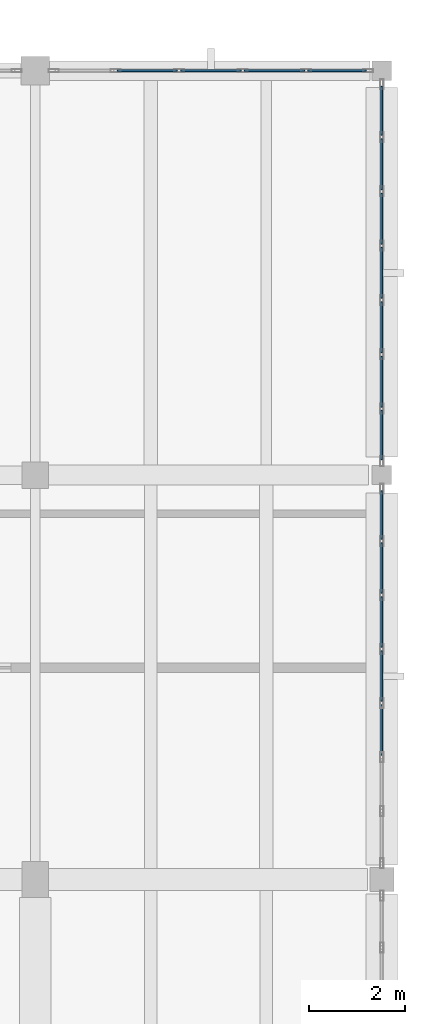
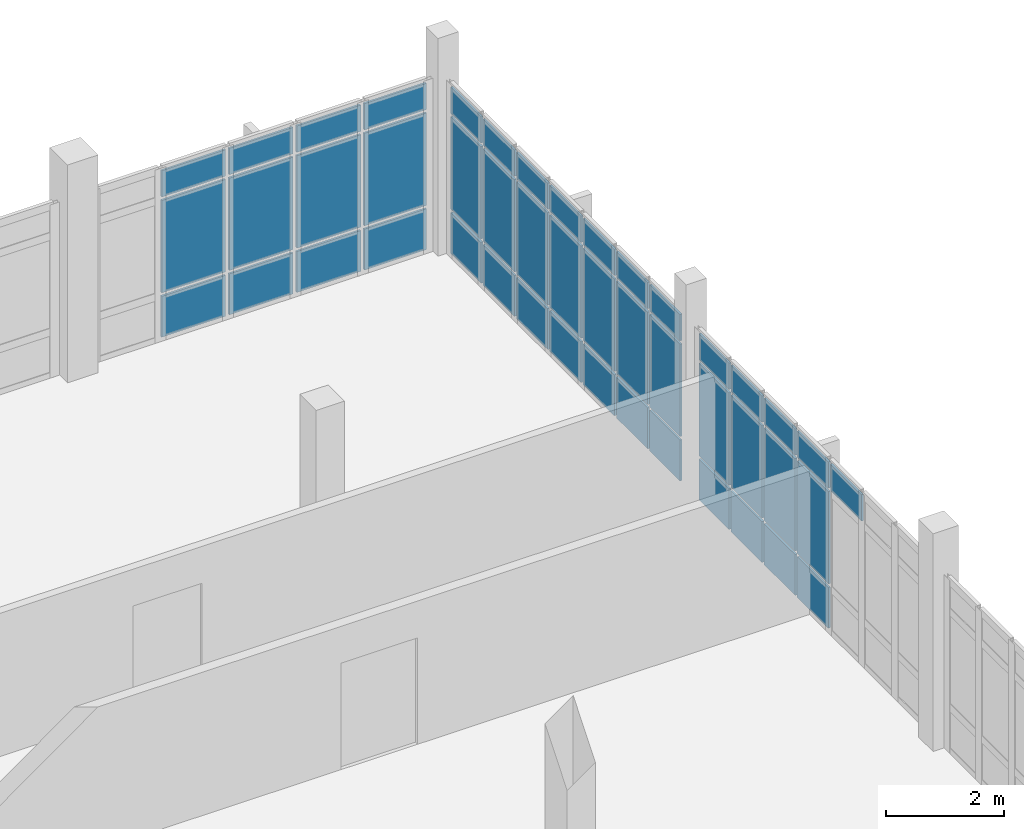
# One storey, part 46 of 57: 46 plates, 3 elements without a shape of their own.
"""IFC4 building model written with IfcOpenShell, lengths in metres."""

from ifc_helpers import new_model, si_unit, direction, frame, origin, origin_2d, place, context, subcontext, project, spatial, rectangle, extrude, material, layer, layer_set, type_object, element, aggregate, save


model = new_model("IFC4")

# Units and contexts
model_context = context("Model", 3, precision=1e-05, world=origin(), true_north=direction((0.0, 1.0)))
body_context = subcontext(model_context, "Body", "Model", "MODEL_VIEW")
ifc_project = project(units=[si_unit("LENGTHUNIT", "METRE"), si_unit("AREAUNIT", "SQUARE_METRE"), si_unit("VOLUMEUNIT", "CUBIC_METRE"), si_unit("PLANEANGLEUNIT", "RADIAN"), si_unit("MASSUNIT", "GRAM", prefix="KILO")], contexts=[model_context])

# Site, building, storey
site_placement = place(None, origin())
site = spatial("IfcSite", under=ifc_project, at=site_placement, CompositionType="ELEMENT")
building_placement = place(site_placement, origin())
building = spatial("IfcBuilding", under=site, at=building_placement, Name="Kalluvel Institute of Natural Sciences", CompositionType="ELEMENT")
storey_placement = place(building_placement, frame((0.0, 0.0, 23.39990234375)))
storey = spatial("IfcBuildingStorey", under=building, at=storey_placement, Name="L05", CompositionType="ELEMENT", Elevation=23.39990234375)

# Curtain wall, plates
ifc_material_1 = material(Name="Aluminium AW-6063 T6", Category="aluminium")
curtain_wall_type = type_object("IfcCurtainWallType", Name="CW-WET-45", PredefinedType="USERDEFINED", material=ifc_material_1)
curtain_wall_1_placement = place(storey_placement, origin())
curtain_wall_1 = element("IfcCurtainWall", 1, at=curtain_wall_1_placement, inside=storey, type_object=curtain_wall_type, Name="L05 Gothic lancet curtain wall CWA-L05-X1080-Y1280", ObjectType="UNITISED LANCET FACADE", PredefinedType="USERDEFINED")
ifc_material_2 = material(Name="Solar-Control Low-E Laminated Glass", Category="glass")
ifc_layer = layer(ifc_material_2, 0.0400390625)
ifc_layer_set = layer_set([ifc_layer], Name="Solar-Control Low-E Laminated Glass")
plate_type = type_object("IfcPlateType", Name="CWP-SPN-40", PredefinedType="CURTAIN_PANEL", material=ifc_layer_set)
plate_1_placement = place(storey_placement, frame((109.929931640625, 128.0, 0.0703125), z_axis=(0.0, 0.0, 1.0), x_axis=(1.0, 0.0, 0.0)))
plate_1 = element("IfcPlate", 2, at=plate_1_placement, type_object=plate_type, Name="CW-01 panel 2.1", PredefinedType="CURTAIN_PANEL", context=body_context, shape_type="SweptSolid", body=[
    extrude(rectangle(XDim=1.25, YDim=0.0400390625, at=origin_2d()), origin(), (0.0, 0.0, 1.0), 0.844970703125),
])
plate_2_placement = place(storey_placement, frame((109.929931640625, 128.0, 0.9853515625), z_axis=(0.0, 0.0, 1.0), x_axis=(1.0, 0.0, 0.0)))
plate_2 = element("IfcPlate", 3, at=plate_2_placement, type_object=plate_type, Name="CW-01 panel 2.2", PredefinedType="CURTAIN_PANEL", context=body_context, shape_type="SweptSolid", body=[
    extrude(rectangle(XDim=1.25, YDim=0.0400390625, at=origin_2d()), origin(), (0.0, 0.0, 1.0), 1.909912109375),
])
plate_3_placement = place(storey_placement, frame((109.929931640625, 128.0, 2.965087890625), z_axis=(0.0, 0.0, 1.0), x_axis=(1.0, 0.0, 0.0)))
plate_3 = element("IfcPlate", 4, at=plate_3_placement, type_object=plate_type, Name="CW-01 panel 2.3", PredefinedType="CURTAIN_PANEL", context=body_context, shape_type="SweptSolid", body=[
    extrude(rectangle(XDim=1.25, YDim=0.0400390625, at=origin_2d()), origin(), (0.0, 0.0, 1.0), 0.544921875),
])
plate_4_placement = place(storey_placement, frame((111.25, 128.0, 0.0703125), z_axis=(0.0, 0.0, 1.0), x_axis=(1.0, 0.0, 0.0)))
plate_4 = element("IfcPlate", 5, at=plate_4_placement, type_object=plate_type, Name="CW-01 panel 3.1", PredefinedType="CURTAIN_PANEL", context=body_context, shape_type="SweptSolid", body=[
    extrude(rectangle(XDim=1.25, YDim=0.0400390625, at=origin_2d()), origin(), (0.0, 0.0, 1.0), 0.844970703125),
])
plate_5_placement = place(storey_placement, frame((111.25, 128.0, 0.9853515625), z_axis=(0.0, 0.0, 1.0), x_axis=(1.0, 0.0, 0.0)))
plate_5 = element("IfcPlate", 6, at=plate_5_placement, type_object=plate_type, Name="CW-01 panel 3.2", PredefinedType="CURTAIN_PANEL", context=body_context, shape_type="SweptSolid", body=[
    extrude(rectangle(XDim=1.25, YDim=0.0400390625, at=origin_2d()), origin(), (0.0, 0.0, 1.0), 1.909912109375),
])
plate_6_placement = place(storey_placement, frame((111.25, 128.0, 2.965087890625), z_axis=(0.0, 0.0, 1.0), x_axis=(1.0, 0.0, 0.0)))
plate_6 = element("IfcPlate", 7, at=plate_6_placement, type_object=plate_type, Name="CW-01 panel 3.3", PredefinedType="CURTAIN_PANEL", context=body_context, shape_type="SweptSolid", body=[
    extrude(rectangle(XDim=1.25, YDim=0.0400390625, at=origin_2d()), origin(), (0.0, 0.0, 1.0), 0.544921875),
])
plate_7_placement = place(storey_placement, frame((112.570068359375, 128.0, 0.0703125), z_axis=(0.0, 0.0, 1.0), x_axis=(1.0, 0.0, 0.0)))
plate_7 = element("IfcPlate", 8, at=plate_7_placement, type_object=plate_type, Name="CW-01 panel 4.1", PredefinedType="CURTAIN_PANEL", context=body_context, shape_type="SweptSolid", body=[
    extrude(rectangle(XDim=1.25, YDim=0.0400390625, at=origin_2d()), origin(), (0.0, 0.0, 1.0), 0.844970703125),
])
plate_8_placement = place(storey_placement, frame((112.570068359375, 128.0, 0.9853515625), z_axis=(0.0, 0.0, 1.0), x_axis=(1.0, 0.0, 0.0)))
plate_8 = element("IfcPlate", 9, at=plate_8_placement, type_object=plate_type, Name="CW-01 panel 4.2", PredefinedType="CURTAIN_PANEL", context=body_context, shape_type="SweptSolid", body=[
    extrude(rectangle(XDim=1.25, YDim=0.0400390625, at=origin_2d()), origin(), (0.0, 0.0, 1.0), 1.909912109375),
])
plate_9_placement = place(storey_placement, frame((112.570068359375, 128.0, 2.965087890625), z_axis=(0.0, 0.0, 1.0), x_axis=(1.0, 0.0, 0.0)))
plate_9 = element("IfcPlate", 10, at=plate_9_placement, type_object=plate_type, Name="CW-01 panel 4.3", PredefinedType="CURTAIN_PANEL", context=body_context, shape_type="SweptSolid", body=[
    extrude(rectangle(XDim=1.25, YDim=0.0400390625, at=origin_2d()), origin(), (0.0, 0.0, 1.0), 0.544921875),
])
plate_10_placement = place(storey_placement, frame((113.87255859375, 128.0, 0.0703125), z_axis=(0.0, 0.0, 1.0), x_axis=(1.0, 0.0, 0.0)))
plate_10 = element("IfcPlate", 11, at=plate_10_placement, type_object=plate_type, Name="CW-01 panel 5.1", PredefinedType="CURTAIN_PANEL", context=body_context, shape_type="SweptSolid", body=[
    extrude(rectangle(XDim=1.215087890625, YDim=0.0400390625, at=origin_2d()), origin(), (0.0, 0.0, 1.0), 0.844970703125),
])
plate_11_placement = place(storey_placement, frame((113.87255859375, 128.0, 0.9853515625), z_axis=(0.0, 0.0, 1.0), x_axis=(1.0, 0.0, 0.0)))
plate_11 = element("IfcPlate", 12, at=plate_11_placement, type_object=plate_type, Name="CW-01 panel 5.2", PredefinedType="CURTAIN_PANEL", context=body_context, shape_type="SweptSolid", body=[
    extrude(rectangle(XDim=1.215087890625, YDim=0.0400390625, at=origin_2d()), origin(), (0.0, 0.0, 1.0), 1.909912109375),
])
plate_12_placement = place(storey_placement, frame((113.87255859375, 128.0, 2.965087890625), z_axis=(0.0, 0.0, 1.0), x_axis=(1.0, 0.0, 0.0)))
plate_12 = element("IfcPlate", 13, at=plate_12_placement, type_object=plate_type, Name="CW-01 panel 5.3", PredefinedType="CURTAIN_PANEL", context=body_context, shape_type="SweptSolid", body=[
    extrude(rectangle(XDim=1.215087890625, YDim=0.0400390625, at=origin_2d()), origin(), (0.0, 0.0, 1.0), 0.544921875),
])
aggregate(curtain_wall_1, [plate_1, plate_2, plate_3, plate_4, plate_5, plate_6, plate_7, plate_8, plate_9, plate_10, plate_11, plate_12])

curtain_wall_2_placement = place(storey_placement, origin())
curtain_wall_2 = element("IfcCurtainWall", 14, at=curtain_wall_2_placement, inside=storey, type_object=curtain_wall_type, Name="L05 Gothic lancet curtain wall CWA-L05-X1148-Y1115", ObjectType="UNITISED LANCET FACADE", PredefinedType="USERDEFINED")
plate_13_placement = place(storey_placement, frame((114.800048828125, 114.303466796875, 2.965087890625), z_axis=(0.0, 0.0, 1.0), x_axis=(0.0, 1.0, 0.0)))
plate_13 = element("IfcPlate", 15, at=plate_13_placement, type_object=plate_type, Name="CW-01 panel 3.3", PredefinedType="CURTAIN_PANEL", context=body_context, shape_type="SweptSolid", body=[
    extrude(rectangle(XDim=1.051513671875, YDim=0.0400390625, at=origin_2d()), origin(), (0.0, 0.0, 1.0), 0.544921875),
])
plate_14_placement = place(storey_placement, frame((114.800048828125, 115.425048828125, 0.0703125), z_axis=(0.0, 0.0, 1.0), x_axis=(0.0, 1.0, 0.0)))
plate_14 = element("IfcPlate", 16, at=plate_14_placement, type_object=plate_type, Name="CW-01 panel 4.1", PredefinedType="CURTAIN_PANEL", context=body_context, shape_type="SweptSolid", body=[
    extrude(rectangle(XDim=1.051513671875, YDim=0.0400390625, at=origin_2d()), origin(), (0.0, 0.0, 1.0), 0.844970703125),
])
plate_15_placement = place(storey_placement, frame((114.800048828125, 115.425048828125, 0.9853515625), z_axis=(0.0, 0.0, 1.0), x_axis=(0.0, 1.0, 0.0)))
plate_15 = element("IfcPlate", 17, at=plate_15_placement, type_object=plate_type, Name="CW-01 panel 4.2", PredefinedType="CURTAIN_PANEL", context=body_context, shape_type="SweptSolid", body=[
    extrude(rectangle(XDim=1.051513671875, YDim=0.0400390625, at=origin_2d()), origin(), (0.0, 0.0, 1.0), 1.909912109375),
])
plate_16_placement = place(storey_placement, frame((114.800048828125, 115.425048828125, 2.965087890625), z_axis=(0.0, 0.0, 1.0), x_axis=(0.0, 1.0, 0.0)))
plate_16 = element("IfcPlate", 18, at=plate_16_placement, type_object=plate_type, Name="CW-01 panel 4.3", PredefinedType="CURTAIN_PANEL", context=body_context, shape_type="SweptSolid", body=[
    extrude(rectangle(XDim=1.051513671875, YDim=0.0400390625, at=origin_2d()), origin(), (0.0, 0.0, 1.0), 0.544921875),
])
plate_17_placement = place(storey_placement, frame((114.800048828125, 116.54638671875, 0.0703125), z_axis=(0.0, 0.0, 1.0), x_axis=(0.0, 1.0, 0.0)))
plate_17 = element("IfcPlate", 19, at=plate_17_placement, type_object=plate_type, Name="CW-01 panel 5.1", PredefinedType="CURTAIN_PANEL", context=body_context, shape_type="SweptSolid", body=[
    extrude(rectangle(XDim=1.051513671875, YDim=0.0400390625, at=origin_2d()), origin(), (0.0, 0.0, 1.0), 0.844970703125),
])
plate_18_placement = place(storey_placement, frame((114.800048828125, 116.54638671875, 0.9853515625), z_axis=(0.0, 0.0, 1.0), x_axis=(0.0, 1.0, 0.0)))
plate_18 = element("IfcPlate", 20, at=plate_18_placement, type_object=plate_type, Name="CW-01 panel 5.2", PredefinedType="CURTAIN_PANEL", context=body_context, shape_type="SweptSolid", body=[
    extrude(rectangle(XDim=1.051513671875, YDim=0.0400390625, at=origin_2d()), origin(), (0.0, 0.0, 1.0), 1.909912109375),
])
plate_19_placement = place(storey_placement, frame((114.800048828125, 116.54638671875, 2.965087890625), z_axis=(0.0, 0.0, 1.0), x_axis=(0.0, 1.0, 0.0)))
plate_19 = element("IfcPlate", 21, at=plate_19_placement, type_object=plate_type, Name="CW-01 panel 5.3", PredefinedType="CURTAIN_PANEL", context=body_context, shape_type="SweptSolid", body=[
    extrude(rectangle(XDim=1.051513671875, YDim=0.0400390625, at=origin_2d()), origin(), (0.0, 0.0, 1.0), 0.544921875),
])
plate_20_placement = place(storey_placement, frame((114.800048828125, 117.66796875, 0.0703125), z_axis=(0.0, 0.0, 1.0), x_axis=(0.0, 1.0, 0.0)))
plate_20 = element("IfcPlate", 22, at=plate_20_placement, type_object=plate_type, Name="CW-01 panel 6.1", PredefinedType="CURTAIN_PANEL", context=body_context, shape_type="SweptSolid", body=[
    extrude(rectangle(XDim=1.051513671875, YDim=0.0400390625, at=origin_2d()), origin(), (0.0, 0.0, 1.0), 0.844970703125),
])
plate_21_placement = place(storey_placement, frame((114.800048828125, 117.66796875, 0.9853515625), z_axis=(0.0, 0.0, 1.0), x_axis=(0.0, 1.0, 0.0)))
plate_21 = element("IfcPlate", 23, at=plate_21_placement, type_object=plate_type, Name="CW-01 panel 6.2", PredefinedType="CURTAIN_PANEL", context=body_context, shape_type="SweptSolid", body=[
    extrude(rectangle(XDim=1.051513671875, YDim=0.0400390625, at=origin_2d()), origin(), (0.0, 0.0, 1.0), 1.909912109375),
])
plate_22_placement = place(storey_placement, frame((114.800048828125, 117.66796875, 2.965087890625), z_axis=(0.0, 0.0, 1.0), x_axis=(0.0, 1.0, 0.0)))
plate_22 = element("IfcPlate", 24, at=plate_22_placement, type_object=plate_type, Name="CW-01 panel 6.3", PredefinedType="CURTAIN_PANEL", context=body_context, shape_type="SweptSolid", body=[
    extrude(rectangle(XDim=1.051513671875, YDim=0.0400390625, at=origin_2d()), origin(), (0.0, 0.0, 1.0), 0.544921875),
])
plate_23_placement = place(storey_placement, frame((114.800048828125, 118.771728515625, 0.0703125), z_axis=(0.0, 0.0, 1.0), x_axis=(0.0, 1.0, 0.0)))
plate_23 = element("IfcPlate", 25, at=plate_23_placement, type_object=plate_type, Name="CW-01 panel 7.1", PredefinedType="CURTAIN_PANEL", context=body_context, shape_type="SweptSolid", body=[
    extrude(rectangle(XDim=1.016357421875, YDim=0.0400390625, at=origin_2d()), origin(), (0.0, 0.0, 1.0), 0.844970703125),
])
plate_24_placement = place(storey_placement, frame((114.800048828125, 118.771728515625, 0.9853515625), z_axis=(0.0, 0.0, 1.0), x_axis=(0.0, 1.0, 0.0)))
plate_24 = element("IfcPlate", 26, at=plate_24_placement, type_object=plate_type, Name="CW-01 panel 7.2", PredefinedType="CURTAIN_PANEL", context=body_context, shape_type="SweptSolid", body=[
    extrude(rectangle(XDim=1.016357421875, YDim=0.0400390625, at=origin_2d()), origin(), (0.0, 0.0, 1.0), 1.909912109375),
])
plate_25_placement = place(storey_placement, frame((114.800048828125, 118.771728515625, 2.965087890625), z_axis=(0.0, 0.0, 1.0), x_axis=(0.0, 1.0, 0.0)))
plate_25 = element("IfcPlate", 27, at=plate_25_placement, type_object=plate_type, Name="CW-01 panel 7.3", PredefinedType="CURTAIN_PANEL", context=body_context, shape_type="SweptSolid", body=[
    extrude(rectangle(XDim=1.016357421875, YDim=0.0400390625, at=origin_2d()), origin(), (0.0, 0.0, 1.0), 0.544921875),
])
aggregate(curtain_wall_2, [plate_13, plate_14, plate_15, plate_16, plate_17, plate_18, plate_19, plate_20, plate_21, plate_22, plate_23, plate_24, plate_25])

curtain_wall_3_placement = place(storey_placement, origin())
curtain_wall_3 = element("IfcCurtainWall", 28, at=curtain_wall_3_placement, inside=storey, type_object=curtain_wall_type, Name="L05 Gothic lancet curtain wall CWA-L05-X1148-Y1198", ObjectType="UNITISED LANCET FACADE", PredefinedType="USERDEFINED")
plate_26_placement = place(storey_placement, frame((114.800048828125, 120.431884765625, 0.0703125), z_axis=(0.0, 0.0, 1.0), x_axis=(0.0, 1.0, 0.0)))
plate_26 = element("IfcPlate", 29, at=plate_26_placement, type_object=plate_type, Name="CW-01 panel 1.1", PredefinedType="CURTAIN_PANEL", context=body_context, shape_type="SweptSolid", body=[
    extrude(rectangle(XDim=1.023681640625, YDim=0.0400390625, at=origin_2d()), origin(), (0.0, 0.0, 1.0), 0.844970703125),
])
plate_27_placement = place(storey_placement, frame((114.800048828125, 120.431884765625, 0.9853515625), z_axis=(0.0, 0.0, 1.0), x_axis=(0.0, 1.0, 0.0)))
plate_27 = element("IfcPlate", 30, at=plate_27_placement, type_object=plate_type, Name="CW-01 panel 1.2", PredefinedType="CURTAIN_PANEL", context=body_context, shape_type="SweptSolid", body=[
    extrude(rectangle(XDim=1.023681640625, YDim=0.0400390625, at=origin_2d()), origin(), (0.0, 0.0, 1.0), 1.909912109375),
])
plate_28_placement = place(storey_placement, frame((114.800048828125, 120.431884765625, 2.965087890625), z_axis=(0.0, 0.0, 1.0), x_axis=(0.0, 1.0, 0.0)))
plate_28 = element("IfcPlate", 31, at=plate_28_placement, type_object=plate_type, Name="CW-01 panel 1.3", PredefinedType="CURTAIN_PANEL", context=body_context, shape_type="SweptSolid", body=[
    extrude(rectangle(XDim=1.023681640625, YDim=0.0400390625, at=origin_2d()), origin(), (0.0, 0.0, 1.0), 0.544921875),
])
plate_29_placement = place(storey_placement, frame((114.800048828125, 121.54296875, 0.0703125), z_axis=(0.0, 0.0, 1.0), x_axis=(0.0, 1.0, 0.0)))
plate_29 = element("IfcPlate", 32, at=plate_29_placement, type_object=plate_type, Name="CW-01 panel 2.1", PredefinedType="CURTAIN_PANEL", context=body_context, shape_type="SweptSolid", body=[
    extrude(rectangle(XDim=1.05859375, YDim=0.0400390625, at=origin_2d()), origin(), (0.0, 0.0, 1.0), 0.844970703125),
])
plate_30_placement = place(storey_placement, frame((114.800048828125, 121.54296875, 0.9853515625), z_axis=(0.0, 0.0, 1.0), x_axis=(0.0, 1.0, 0.0)))
plate_30 = element("IfcPlate", 33, at=plate_30_placement, type_object=plate_type, Name="CW-01 panel 2.2", PredefinedType="CURTAIN_PANEL", context=body_context, shape_type="SweptSolid", body=[
    extrude(rectangle(XDim=1.05859375, YDim=0.0400390625, at=origin_2d()), origin(), (0.0, 0.0, 1.0), 1.909912109375),
])
plate_31_placement = place(storey_placement, frame((114.800048828125, 121.54296875, 2.965087890625), z_axis=(0.0, 0.0, 1.0), x_axis=(0.0, 1.0, 0.0)))
plate_31 = element("IfcPlate", 34, at=plate_31_placement, type_object=plate_type, Name="CW-01 panel 2.3", PredefinedType="CURTAIN_PANEL", context=body_context, shape_type="SweptSolid", body=[
    extrude(rectangle(XDim=1.05859375, YDim=0.0400390625, at=origin_2d()), origin(), (0.0, 0.0, 1.0), 0.544921875),
])
plate_32_placement = place(storey_placement, frame((114.800048828125, 122.67138671875, 0.0703125), z_axis=(0.0, 0.0, 1.0), x_axis=(0.0, 1.0, 0.0)))
plate_32 = element("IfcPlate", 35, at=plate_32_placement, type_object=plate_type, Name="CW-01 panel 3.1", PredefinedType="CURTAIN_PANEL", context=body_context, shape_type="SweptSolid", body=[
    extrude(rectangle(XDim=1.05859375, YDim=0.0400390625, at=origin_2d()), origin(), (0.0, 0.0, 1.0), 0.844970703125),
])
plate_33_placement = place(storey_placement, frame((114.800048828125, 122.67138671875, 0.9853515625), z_axis=(0.0, 0.0, 1.0), x_axis=(0.0, 1.0, 0.0)))
plate_33 = element("IfcPlate", 36, at=plate_33_placement, type_object=plate_type, Name="CW-01 panel 3.2", PredefinedType="CURTAIN_PANEL", context=body_context, shape_type="SweptSolid", body=[
    extrude(rectangle(XDim=1.05859375, YDim=0.0400390625, at=origin_2d()), origin(), (0.0, 0.0, 1.0), 1.909912109375),
])
plate_34_placement = place(storey_placement, frame((114.800048828125, 122.67138671875, 2.965087890625), z_axis=(0.0, 0.0, 1.0), x_axis=(0.0, 1.0, 0.0)))
plate_34 = element("IfcPlate", 37, at=plate_34_placement, type_object=plate_type, Name="CW-01 panel 3.3", PredefinedType="CURTAIN_PANEL", context=body_context, shape_type="SweptSolid", body=[
    extrude(rectangle(XDim=1.05859375, YDim=0.0400390625, at=origin_2d()), origin(), (0.0, 0.0, 1.0), 0.544921875),
])
plate_35_placement = place(storey_placement, frame((114.800048828125, 123.800048828125, 0.0703125), z_axis=(0.0, 0.0, 1.0), x_axis=(0.0, 1.0, 0.0)))
plate_35 = element("IfcPlate", 38, at=plate_35_placement, type_object=plate_type, Name="CW-01 panel 4.1", PredefinedType="CURTAIN_PANEL", context=body_context, shape_type="SweptSolid", body=[
    extrude(rectangle(XDim=1.05859375, YDim=0.0400390625, at=origin_2d()), origin(), (0.0, 0.0, 1.0), 0.844970703125),
])
plate_36_placement = place(storey_placement, frame((114.800048828125, 123.800048828125, 0.9853515625), z_axis=(0.0, 0.0, 1.0), x_axis=(0.0, 1.0, 0.0)))
plate_36 = element("IfcPlate", 39, at=plate_36_placement, type_object=plate_type, Name="CW-01 panel 4.2", PredefinedType="CURTAIN_PANEL", context=body_context, shape_type="SweptSolid", body=[
    extrude(rectangle(XDim=1.05859375, YDim=0.0400390625, at=origin_2d()), origin(), (0.0, 0.0, 1.0), 1.909912109375),
])
plate_37_placement = place(storey_placement, frame((114.800048828125, 123.800048828125, 2.965087890625), z_axis=(0.0, 0.0, 1.0), x_axis=(0.0, 1.0, 0.0)))
plate_37 = element("IfcPlate", 40, at=plate_37_placement, type_object=plate_type, Name="CW-01 panel 4.3", PredefinedType="CURTAIN_PANEL", context=body_context, shape_type="SweptSolid", body=[
    extrude(rectangle(XDim=1.05859375, YDim=0.0400390625, at=origin_2d()), origin(), (0.0, 0.0, 1.0), 0.544921875),
])
plate_38_placement = place(storey_placement, frame((114.800048828125, 124.928466796875, 0.0703125), z_axis=(0.0, 0.0, 1.0), x_axis=(0.0, 1.0, 0.0)))
plate_38 = element("IfcPlate", 41, at=plate_38_placement, type_object=plate_type, Name="CW-01 panel 5.1", PredefinedType="CURTAIN_PANEL", context=body_context, shape_type="SweptSolid", body=[
    extrude(rectangle(XDim=1.05859375, YDim=0.0400390625, at=origin_2d()), origin(), (0.0, 0.0, 1.0), 0.844970703125),
])
plate_39_placement = place(storey_placement, frame((114.800048828125, 124.928466796875, 0.9853515625), z_axis=(0.0, 0.0, 1.0), x_axis=(0.0, 1.0, 0.0)))
plate_39 = element("IfcPlate", 42, at=plate_39_placement, type_object=plate_type, Name="CW-01 panel 5.2", PredefinedType="CURTAIN_PANEL", context=body_context, shape_type="SweptSolid", body=[
    extrude(rectangle(XDim=1.05859375, YDim=0.0400390625, at=origin_2d()), origin(), (0.0, 0.0, 1.0), 1.909912109375),
])
plate_40_placement = place(storey_placement, frame((114.800048828125, 124.928466796875, 2.965087890625), z_axis=(0.0, 0.0, 1.0), x_axis=(0.0, 1.0, 0.0)))
plate_40 = element("IfcPlate", 43, at=plate_40_placement, type_object=plate_type, Name="CW-01 panel 5.3", PredefinedType="CURTAIN_PANEL", context=body_context, shape_type="SweptSolid", body=[
    extrude(rectangle(XDim=1.05859375, YDim=0.0400390625, at=origin_2d()), origin(), (0.0, 0.0, 1.0), 0.544921875),
])
plate_41_placement = place(storey_placement, frame((114.800048828125, 126.05712890625, 0.0703125), z_axis=(0.0, 0.0, 1.0), x_axis=(0.0, 1.0, 0.0)))
plate_41 = element("IfcPlate", 44, at=plate_41_placement, type_object=plate_type, Name="CW-01 panel 6.1", PredefinedType="CURTAIN_PANEL", context=body_context, shape_type="SweptSolid", body=[
    extrude(rectangle(XDim=1.05859375, YDim=0.0400390625, at=origin_2d()), origin(), (0.0, 0.0, 1.0), 0.844970703125),
])
plate_42_placement = place(storey_placement, frame((114.800048828125, 126.05712890625, 0.9853515625), z_axis=(0.0, 0.0, 1.0), x_axis=(0.0, 1.0, 0.0)))
plate_42 = element("IfcPlate", 45, at=plate_42_placement, type_object=plate_type, Name="CW-01 panel 6.2", PredefinedType="CURTAIN_PANEL", context=body_context, shape_type="SweptSolid", body=[
    extrude(rectangle(XDim=1.05859375, YDim=0.0400390625, at=origin_2d()), origin(), (0.0, 0.0, 1.0), 1.909912109375),
])
plate_43_placement = place(storey_placement, frame((114.800048828125, 126.05712890625, 2.965087890625), z_axis=(0.0, 0.0, 1.0), x_axis=(0.0, 1.0, 0.0)))
plate_43 = element("IfcPlate", 46, at=plate_43_placement, type_object=plate_type, Name="CW-01 panel 6.3", PredefinedType="CURTAIN_PANEL", context=body_context, shape_type="SweptSolid", body=[
    extrude(rectangle(XDim=1.05859375, YDim=0.0400390625, at=origin_2d()), origin(), (0.0, 0.0, 1.0), 0.544921875),
])
plate_44_placement = place(storey_placement, frame((114.800048828125, 127.168212890625, 0.0703125), z_axis=(0.0, 0.0, 1.0), x_axis=(0.0, 1.0, 0.0)))
plate_44 = element("IfcPlate", 47, at=plate_44_placement, type_object=plate_type, Name="CW-01 panel 7.1", PredefinedType="CURTAIN_PANEL", context=body_context, shape_type="SweptSolid", body=[
    extrude(rectangle(XDim=1.023681640625, YDim=0.0400390625, at=origin_2d()), origin(), (0.0, 0.0, 1.0), 0.844970703125),
])
plate_45_placement = place(storey_placement, frame((114.800048828125, 127.168212890625, 0.9853515625), z_axis=(0.0, 0.0, 1.0), x_axis=(0.0, 1.0, 0.0)))
plate_45 = element("IfcPlate", 48, at=plate_45_placement, type_object=plate_type, Name="CW-01 panel 7.2", PredefinedType="CURTAIN_PANEL", context=body_context, shape_type="SweptSolid", body=[
    extrude(rectangle(XDim=1.023681640625, YDim=0.0400390625, at=origin_2d()), origin(), (0.0, 0.0, 1.0), 1.909912109375),
])
plate_46_placement = place(storey_placement, frame((114.800048828125, 127.168212890625, 2.965087890625), z_axis=(0.0, 0.0, 1.0), x_axis=(0.0, 1.0, 0.0)))
plate_46 = element("IfcPlate", 49, at=plate_46_placement, type_object=plate_type, Name="CW-01 panel 7.3", PredefinedType="CURTAIN_PANEL", context=body_context, shape_type="SweptSolid", body=[
    extrude(rectangle(XDim=1.023681640625, YDim=0.0400390625, at=origin_2d()), origin(), (0.0, 0.0, 1.0), 0.544921875),
])
aggregate(curtain_wall_3, [plate_26, plate_27, plate_28, plate_29, plate_30, plate_31, plate_32, plate_33, plate_34, plate_35, plate_36, plate_37, plate_38, plate_39, plate_40, plate_41, plate_42, plate_43, plate_44, plate_45, plate_46])

save(model, "model.ifc")
